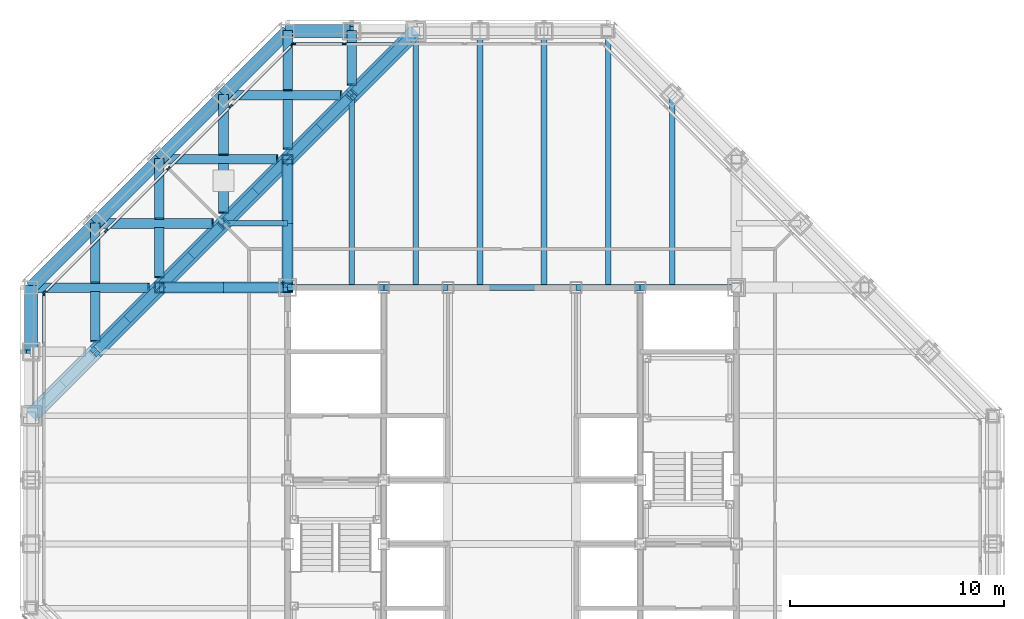
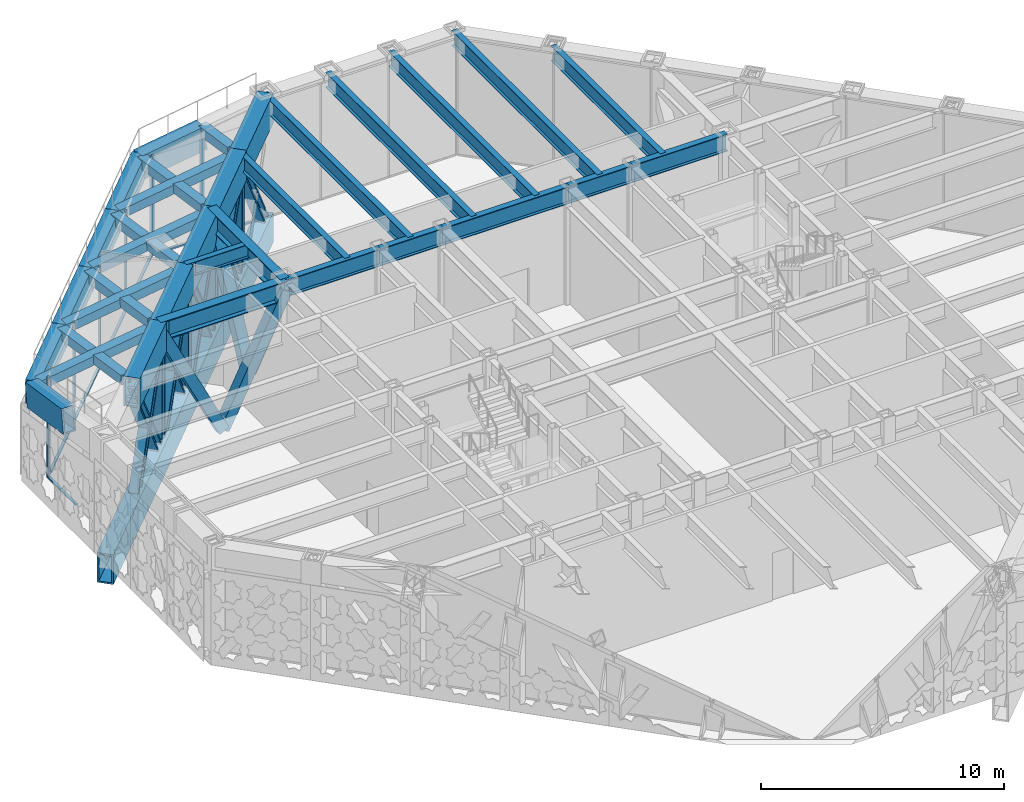
# One storey, part 9 of 29: 38 members, 33 beams, 3 elements without a shape of their own.
"""IFC4 building model written with IfcOpenShell, lengths in metres."""

from ifc_helpers import new_model, si_unit, direction, frame, origin, origin_2d, place, context, subcontext, project, spatial, rectangle, hollow_rectangle, i_section, extrude, material, layer, layer_set, material_profile, profile_set, type_object, element, aggregate, save


model = new_model("IFC4")

# Units and contexts
model_context = context("Model", 3, precision=1e-05, world=origin(), true_north=direction((0.0, 1.0)))
body_context = subcontext(model_context, "Body", "Model", "MODEL_VIEW")
ifc_project = project(units=[si_unit("LENGTHUNIT", "METRE"), si_unit("AREAUNIT", "SQUARE_METRE"), si_unit("VOLUMEUNIT", "CUBIC_METRE"), si_unit("PLANEANGLEUNIT", "RADIAN"), si_unit("MASSUNIT", "GRAM", prefix="KILO")], contexts=[model_context])

# Site, building, storey
site_placement = place(None, origin())
site = spatial("IfcSite", under=ifc_project, at=site_placement, CompositionType="ELEMENT")
building_placement = place(site_placement, origin())
building = spatial("IfcBuilding", under=site, at=building_placement, Name="Chuquiago Exchange Tower", CompositionType="ELEMENT")
storey_placement = place(building_placement, frame((0.0, 0.0, 251.699951171875)))
storey = spatial("IfcBuildingStorey", under=building, at=storey_placement, Name="L56", CompositionType="ELEMENT", Elevation=251.699951171875)

# Beams
ifc_material_1 = material(Name="Steel ASTM A992", Category="steel")
ifc_material_profile_1 = material_profile(ifc_material_1, i_section(OverallWidth=0.2919921875, OverallDepth=0.8583984375, WebThickness=0.01708984375, FlangeThickness=0.031005859375, at=origin_2d()), Name="W33X169")
ifc_profile_set_1 = profile_set([ifc_material_profile_1], Name="Steel ASTM A992")
beam_type_1 = type_object("IfcBeamType", Name="B3 W33X169", PredefinedType="BEAM", material=ifc_profile_set_1)
beam_1_placement = place(storey_placement, frame((12.0, 33.0, 5.41064453125), z_axis=(1.0, 0.0, 0.0), x_axis=(0.0, 1.0, 0.0)))
element("IfcBeam", 1, at=beam_1_placement, inside=storey, type_object=beam_type_1, Name="CB-L57-12_33-16.5_33", PredefinedType="BEAM", context=body_context, shape_type="SweptSolid", body=[
    extrude(i_section(OverallWidth=0.2919921875, OverallDepth=0.8583984375, WebThickness=0.01708984375, FlangeThickness=0.031005859375, at=origin_2d()), origin(), (0.0, 0.0, 1.0), 4.5),
])
beam_2_placement = place(storey_placement, frame((16.5, 33.0, 5.41064453125), z_axis=(1.0, 0.0, 0.0), x_axis=(0.0, 1.0, 0.0)))
element("IfcBeam", 2, at=beam_2_placement, inside=storey, type_object=beam_type_1, Name="CB-L57-16.5_33-19.5_33", PredefinedType="BEAM", context=body_context, shape_type="SweptSolid", body=[
    extrude(i_section(OverallWidth=0.2919921875, OverallDepth=0.8583984375, WebThickness=0.01708984375, FlangeThickness=0.031005859375, at=origin_2d()), origin(), (0.0, 0.0, 1.0), 3.0),
])
beam_3_placement = place(storey_placement, frame((19.5, 33.0, 5.41064453125), z_axis=(1.0, 0.0, 0.0), x_axis=(0.0, 1.0, 0.0)))
element("IfcBeam", 3, at=beam_3_placement, inside=storey, type_object=beam_type_1, Name="CB-L57-19.5_33-25.5_33", PredefinedType="BEAM", context=body_context, shape_type="SweptSolid", body=[
    extrude(i_section(OverallWidth=0.2919921875, OverallDepth=0.8583984375, WebThickness=0.01708984375, FlangeThickness=0.031005859375, at=origin_2d()), origin(), (0.0, 0.0, 1.0), 6.0),
])
beam_4_placement = place(storey_placement, frame((25.5, 33.0, 5.41064453125), z_axis=(1.0, 0.0, 0.0), x_axis=(0.0, 1.0, 0.0)))
element("IfcBeam", 4, at=beam_4_placement, inside=storey, type_object=beam_type_1, Name="CB-L57-25.5_33-28.5_33", PredefinedType="BEAM", context=body_context, shape_type="SweptSolid", body=[
    extrude(i_section(OverallWidth=0.2919921875, OverallDepth=0.8583984375, WebThickness=0.01708984375, FlangeThickness=0.031005859375, at=origin_2d()), origin(), (0.0, 0.0, 1.0), 3.0),
])
beam_5_placement = place(storey_placement, frame((28.5, 33.0, 5.41064453125), z_axis=(1.0, 0.0, 0.0), x_axis=(0.0, 1.0, 0.0)))
element("IfcBeam", 5, at=beam_5_placement, inside=storey, type_object=beam_type_1, Name="CB-L57-28.5_33-33_33", PredefinedType="BEAM", context=body_context, shape_type="SweptSolid", body=[
    extrude(i_section(OverallWidth=0.2919921875, OverallDepth=0.8583984375, WebThickness=0.01708984375, FlangeThickness=0.031005859375, at=origin_2d()), origin(), (0.0, 0.0, 1.0), 4.5),
])
ifc_material_2 = material(Name="Steel ASTM A992", Category="steel")
ifc_material_profile_2 = material_profile(ifc_material_2, i_section(OverallWidth=0.2666015625, OverallDepth=0.761962890625, WebThickness=0.014404296875, FlangeThickness=0.021484375, at=origin_2d()), Name="W30X116")
ifc_profile_set_2 = profile_set([ifc_material_profile_2], Name="Steel ASTM A992")
beam_type_2 = type_object("IfcBeamType", Name="B8 W30X116", PredefinedType="BEAM", material=ifc_profile_set_2)
beam_6_placement = place(storey_placement, frame((15.0, 33.0, 5.458984375), z_axis=(0.0, 1.0, 0.0), x_axis=(-1.0, 0.0, 0.0)))
element("IfcBeam", 6, at=beam_6_placement, inside=storey, type_object=beam_type_2, Name="FB-L57-infill-15_33-15_42-0", PredefinedType="BEAM", context=body_context, shape_type="SweptSolid", body=[
    extrude(i_section(OverallWidth=0.2666015625, OverallDepth=0.761962890625, WebThickness=0.014404296875, FlangeThickness=0.021484375, at=origin_2d()), origin(), (0.0, 0.0, 1.0), 9.0),
])
for number, where, z_axis, x_axis, name in (
    (7, (18.0, 33.0, 5.458984375), (0.0, 1.0, 0.0), (-1.0, 0.0, 0.0), "FB-L57-infill-18_33-18_45-0"),
    (8, (21.0, 33.0, 5.458984375), (0.0, 1.0, 0.0), (-1.0, 0.0, 0.0), "FB-L57-infill-21_33-21_45-0"),
    (9, (24.0, 33.0, 5.458984375), (0.0, 1.0, 0.0), (-1.0, 0.0, 0.0), "FB-L57-infill-24_33-24_45-0"),
    (10, (27.0, 33.0, 5.458984375), (0.0, 1.0, 0.0), (-1.0, 0.0, 0.0), "FB-L57-infill-27_33-27_45-0"),
):
    element("IfcBeam", number, at=place(storey_placement, frame(where, z_axis=z_axis, x_axis=x_axis)), inside=storey, type_object=beam_type_2, Name=name, PredefinedType="BEAM", context=body_context, shape_type="SweptSolid", body=[
        extrude(i_section(OverallWidth=0.2666015625, OverallDepth=0.761962890625, WebThickness=0.014404296875, FlangeThickness=0.021484375, at=origin_2d()), origin(), (0.0, 0.0, 1.0), 12.0),
    ])
beam_7_placement = place(storey_placement, frame((30.0, 33.0, 5.458984375), z_axis=(0.0, 1.0, 0.0), x_axis=(-1.0, 0.0, 0.0)))
element("IfcBeam", 11, at=beam_7_placement, inside=storey, type_object=beam_type_2, Name="FB-L57-infill-30_33-30_42-0", PredefinedType="BEAM", context=body_context, shape_type="SweptSolid", body=[
    extrude(i_section(OverallWidth=0.2666015625, OverallDepth=0.761962890625, WebThickness=0.014404296875, FlangeThickness=0.021484375, at=origin_2d()), origin(), (0.0, 0.0, 1.0), 9.0),
])
ifc_material_3 = material(Name="Steel ASTM A992", Category="steel")
ifc_material_profile_3 = material_profile(ifc_material_3, i_section(OverallWidth=0.256591796875, OverallDepth=0.693359375, WebThickness=0.014404296875, FlangeThickness=0.023681640625, at=origin_2d()), Name="W27X114")
ifc_profile_set_3 = profile_set([ifc_material_profile_3], Name="Steel ASTM A992")
beam_type_3 = type_object("IfcBeamType", Name="B9 W27X114", PredefinedType="BEAM", material=ifc_profile_set_3)
beam_8_placement = place(storey_placement, frame((12.0, 36.0, 5.493408203125), z_axis=(-1.0, 0.0, 0.0), x_axis=(0.0, -1.0, 0.0)))
element("IfcBeam", 12, at=beam_8_placement, inside=storey, type_object=beam_type_3, Name="FB-L57-corner-12_36-9_36-0", PredefinedType="BEAM", context=body_context, shape_type="SweptSolid", body=[
    extrude(i_section(OverallWidth=0.256591796875, OverallDepth=0.693359375, WebThickness=0.014404296875, FlangeThickness=0.023681640625, at=origin_2d()), origin(), (0.0, 0.0, 1.0), 3.0),
])

# Curtain wall, members
ifc_material_4 = material(Name="Aluminium curtain wall system", Category="aluminium")
ifc_layer = layer(ifc_material_4, 0.199951171875)
ifc_layer_set = layer_set([ifc_layer], Name="CW6 plant floor louvre wall")
curtain_wall_type = type_object("IfcCurtainWallType", Name="CW6 plant floor louvre wall", PredefinedType="NOTDEFINED", material=ifc_layer_set)
curtain_wall_1_placement = place(storey_placement, origin())
curtain_wall_1 = element("IfcCurtainWall", 13, at=curtain_wall_1_placement, inside=storey, type_object=curtain_wall_type, Name="CW6 curtain wall L56", PredefinedType="NOTDEFINED")
ifc_material_5 = material(Name="Aluminium mullion, pale anodised", Category="aluminium")
ifc_material_profile_4 = material_profile(ifc_material_5, rectangle(XDim=0.074951171875, YDim=0.199951171875, at=origin_2d()), Name="AL 75x200")
ifc_profile_set_4 = profile_set([ifc_material_profile_4], Name="Aluminium mullion, pale anodised")
member_type_1 = type_object("IfcMemberType", Name="CW6-M mullion 75x200", PredefinedType="MULLION", material=ifc_profile_set_4)
member_1_placement = place(storey_placement, frame((14.6474609375, 44.39990234375, 0.0), z_axis=(0.0, 0.0, 1.0), x_axis=(0.0, -1.0, 0.0)))
member_1 = element("IfcMember", 14, at=member_1_placement, type_object=member_type_1, Name="CW6 mullion 2", PredefinedType="MULLION", context=body_context, shape_type="SweptSolid", body=[
    extrude(rectangle(XDim=0.074951171875, YDim=0.199951171875, at=origin_2d()), origin(), (0.0, 0.0, 1.0), 5.021240234375),
])
member_2_placement = place(storey_placement, frame((12.2861328125, 44.39990234375, 0.0), z_axis=(0.0, 0.0, 1.0), x_axis=(0.0, -1.0, 0.0)))
member_2 = element("IfcMember", 15, at=member_2_placement, type_object=member_type_1, Name="CW6 mullion 3", PredefinedType="MULLION", context=body_context, shape_type="SweptSolid", body=[
    extrude(rectangle(XDim=0.074951171875, YDim=0.199951171875, at=origin_2d()), origin(), (0.0, 0.0, 1.0), 5.021240234375),
])

curtain_wall_2_placement = place(storey_placement, origin())
curtain_wall_2 = element("IfcCurtainWall", 16, at=curtain_wall_2_placement, inside=storey, type_object=curtain_wall_type, Name="CW6 curtain wall L56", PredefinedType="NOTDEFINED")
member_3_placement = place(storey_placement, frame((12.221923828125, 44.37353515625, 0.0), z_axis=(0.0, 0.0, 1.0), x_axis=(0.707106781187, -0.707106781187, 0.0)))
member_3 = element("IfcMember", 17, at=member_3_placement, type_object=member_type_1, Name="CW6 mullion 1", PredefinedType="MULLION", context=body_context, shape_type="SweptSolid", body=[
    extrude(rectangle(XDim=0.074951171875, YDim=0.199951171875, at=origin_2d()), origin(), (0.0, 0.0, 1.0), 5.021240234375),
])
member_4_placement = place(storey_placement, frame((9.33642578125, 41.48779296875, 0.0), z_axis=(0.0, 0.0, 1.0), x_axis=(0.707106781187, -0.707106781187, 0.0)))
member_4 = element("IfcMember", 18, at=member_4_placement, type_object=member_type_1, Name="CW6 mullion 2", PredefinedType="MULLION", context=body_context, shape_type="SweptSolid", body=[
    extrude(rectangle(XDim=0.074951171875, YDim=0.199951171875, at=origin_2d()), origin(), (0.0, 0.0, 1.0), 5.021240234375),
])
member_5_placement = place(storey_placement, frame((6.42431640625, 38.57568359375, 0.0), z_axis=(0.0, 0.0, 1.0), x_axis=(0.707106781187, -0.707106781187, 0.0)))
member_5 = element("IfcMember", 19, at=member_5_placement, type_object=member_type_1, Name="CW6 mullion 3", PredefinedType="MULLION", context=body_context, shape_type="SweptSolid", body=[
    extrude(rectangle(XDim=0.074951171875, YDim=0.199951171875, at=origin_2d()), origin(), (0.0, 0.0, 1.0), 5.021240234375),
])
member_6_placement = place(storey_placement, frame((3.51220703125, 35.66357421875, 0.0), z_axis=(0.0, 0.0, 1.0), x_axis=(0.707106781187, -0.707106781187, 0.0)))
member_6 = element("IfcMember", 20, at=member_6_placement, type_object=member_type_1, Name="CW6 mullion 4", PredefinedType="MULLION", context=body_context, shape_type="SweptSolid", body=[
    extrude(rectangle(XDim=0.074951171875, YDim=0.199951171875, at=origin_2d()), origin(), (0.0, 0.0, 1.0), 5.021240234375),
])
member_7_placement = place(storey_placement, frame((0.62646484375, 32.778076171875, 0.0), z_axis=(0.0, 0.0, 1.0), x_axis=(0.707106781187, -0.707106781187, 0.0)))
member_7 = element("IfcMember", 21, at=member_7_placement, type_object=member_type_1, Name="CW6 mullion 5", PredefinedType="MULLION", context=body_context, shape_type="SweptSolid", body=[
    extrude(rectangle(XDim=0.074951171875, YDim=0.199951171875, at=origin_2d()), origin(), (0.0, 0.0, 1.0), 5.021240234375),
])

# Curtain wall, member
curtain_wall_3_placement = place(storey_placement, origin())
curtain_wall_3 = element("IfcCurtainWall", 22, at=curtain_wall_3_placement, inside=storey, type_object=curtain_wall_type, Name="CW6 curtain wall L56", PredefinedType="NOTDEFINED")
member_8_placement = place(storey_placement, frame((0.60009765625, 32.714111328125, 0.0), z_axis=(0.0, 0.0, 1.0), x_axis=(1.0, 0.0, 0.0)))
member_8 = element("IfcMember", 23, at=member_8_placement, type_object=member_type_1, Name="CW6 mullion 1", PredefinedType="MULLION", context=body_context, shape_type="SweptSolid", body=[
    extrude(rectangle(XDim=0.074951171875, YDim=0.199951171875, at=origin_2d()), origin(), (0.0, 0.0, 1.0), 5.021240234375),
])

# Member
ifc_material_6 = material(Name="Aluminium transom, pale anodised", Category="aluminium")
ifc_material_profile_5 = material_profile(ifc_material_6, rectangle(XDim=0.1201171875, YDim=0.074951171875, at=origin_2d()), Name="AL 120x75")
ifc_profile_set_5 = profile_set([ifc_material_profile_5], Name="Aluminium transom, pale anodised")
member_type_2 = type_object("IfcMemberType", Name="CW6-T transom 75x120", PredefinedType="MULLION", material=ifc_profile_set_5)
member_9_placement = place(storey_placement, frame((16.971435546875, 44.39990234375, 0.03759765625), z_axis=(-1.0, 0.0, 0.0), x_axis=(0.0, -1.0, 0.0)))
member_9 = element("IfcMember", 24, at=member_9_placement, type_object=member_type_2, Name="CW6 transom 1.1", PredefinedType="MULLION", context=body_context, shape_type="SweptSolid", body=[
    extrude(rectangle(XDim=0.1201171875, YDim=0.074951171875, at=origin_2d()), origin(), (0.0, 0.0, 1.0), 2.286376953125),
])

member_10_placement = place(storey_placement, frame((14.610107421875, 44.39990234375, 0.03759765625), z_axis=(-1.0, 0.0, 0.0), x_axis=(0.0, -1.0, 0.0)))
member_10 = element("IfcMember", 25, at=member_10_placement, type_object=member_type_2, Name="CW6 transom 2.1", PredefinedType="MULLION", context=body_context, shape_type="SweptSolid", body=[
    extrude(rectangle(XDim=0.1201171875, YDim=0.074951171875, at=origin_2d()), origin(), (0.0, 0.0, 1.0), 2.28662109375),
])

aggregate(curtain_wall_1, [member_1, member_2, member_9, member_10])

member_11_placement = place(storey_placement, frame((12.195556640625, 44.346923828125, 0.03759765625), z_axis=(-0.707137252703, -0.707076308357, 0.0), x_axis=(0.707076308357, -0.707137252703, 0.0)))
member_11 = element("IfcMember", 26, at=member_11_placement, type_object=member_type_2, Name="CW6 transom 1.1", PredefinedType="MULLION", context=body_context, shape_type="SweptSolid", body=[
    extrude(rectangle(XDim=0.1201171875, YDim=0.074951171875, at=origin_2d()), origin(), (0.0, 0.0, 1.0), 4.005859375),
])

member_12_placement = place(storey_placement, frame((9.309814453125, 41.46142578125, 0.03759765625), z_axis=(-0.707106781187, -0.707106781187, 0.0), x_axis=(0.707106781187, -0.707106781187, 0.0)))
member_12 = element("IfcMember", 27, at=member_12_placement, type_object=member_type_2, Name="CW6 transom 2.1", PredefinedType="MULLION", context=body_context, shape_type="SweptSolid", body=[
    extrude(rectangle(XDim=0.1201171875, YDim=0.074951171875, at=origin_2d()), origin(), (0.0, 0.0, 1.0), 4.04345703125),
])

member_13_placement = place(storey_placement, frame((6.397705078125, 38.54931640625, 0.03759765625), z_axis=(-0.707106781187, -0.707106781187, 0.0), x_axis=(0.707106781187, -0.707106781187, 0.0)))
member_13 = element("IfcMember", 28, at=member_13_placement, type_object=member_type_2, Name="CW6 transom 3.1", PredefinedType="MULLION", context=body_context, shape_type="SweptSolid", body=[
    extrude(rectangle(XDim=0.1201171875, YDim=0.074951171875, at=origin_2d()), origin(), (0.0, 0.0, 1.0), 4.04345703125),
])

member_14_placement = place(storey_placement, frame((3.485595703125, 35.63720703125, 0.03759765625), z_axis=(-0.707076308357, -0.707137252703, 0.0), x_axis=(0.707137252703, -0.707076308357, 0.0)))
member_14 = element("IfcMember", 29, at=member_14_placement, type_object=member_type_2, Name="CW6 transom 4.1", PredefinedType="MULLION", context=body_context, shape_type="SweptSolid", body=[
    extrude(rectangle(XDim=0.1201171875, YDim=0.074951171875, at=origin_2d()), origin(), (0.0, 0.0, 1.0), 4.005859375),
])

aggregate(curtain_wall_2, [member_3, member_4, member_5, member_6, member_7, member_11, member_12, member_13, member_14])

member_15_placement = place(storey_placement, frame((0.60009765625, 32.676513671875, 0.03759765625), z_axis=(0.0, -1.0, 0.0), x_axis=(1.0, 0.0, 0.0)))
member_15 = element("IfcMember", 30, at=member_15_placement, type_object=member_type_2, Name="CW6 transom 1.1", PredefinedType="MULLION", context=body_context, shape_type="SweptSolid", body=[
    extrude(rectangle(XDim=0.1201171875, YDim=0.074951171875, at=origin_2d()), origin(), (0.0, 0.0, 1.0), 2.286376953125),
])

aggregate(curtain_wall_3, [member_8, member_15])

# Beams
ifc_material_7 = material(Name="Steel ASTM A572 Grade 50", Category="steel")
ifc_material_profile_6 = material_profile(ifc_material_7, hollow_rectangle(XDim=0.60009765625, YDim=1.199951171875, WallThickness=0.074951171875, at=origin_2d()), Name="BOX1200X600X75")
ifc_profile_set_6 = profile_set([ifc_material_profile_6], Name="Steel ASTM A572 Grade 50")
beam_type_4 = type_object("IfcBeamType", Name="EB3 BOX1200X600X75", PredefinedType="BEAM", material=ifc_profile_set_6)
beam_9_placement = place(storey_placement, frame((15.0, 45.0, 4.749267578125), z_axis=(-0.98889144561, 0.0, -0.148639526371), x_axis=(0.0, -1.0, 0.0)))
element("IfcBeam", 31, at=beam_9_placement, inside=storey, type_object=beam_type_4, Name="Facet roof edge beam L56", PredefinedType="BEAM", context=body_context, shape_type="SweptSolid", body=[
    extrude(hollow_rectangle(XDim=0.60009765625, YDim=1.199951171875, WallThickness=0.074951171875, at=origin_2d()), origin(), (0.0, 0.0, 1.0), 3.03369140625),
])
for number, where, z_axis, x_axis, name in (
    (32, (12.0, 45.0, 4.29833984375), (-0.707106781187, -0.707106781187, 0.0), (0.707106781187, -0.707106781187, 0.0), "Facet roof edge beam L56"),
    (33, (9.0, 42.0, 4.29833984375), (-0.707106781187, -0.707106781187, 0.0), (0.707106781187, -0.707106781187, 0.0), "Facet roof edge beam L56"),
    (34, (6.0, 39.0, 4.29833984375), (-0.707106781187, -0.707106781187, 0.0), (0.707106781187, -0.707106781187, 0.0), "Facet roof edge beam L56"),
    (35, (3.0, 36.0, 4.29833984375), (-0.707106781187, -0.707106781187, 0.0), (0.707106781187, -0.707106781187, 0.0), "Facet roof edge beam L56"),
):
    element("IfcBeam", number, at=place(storey_placement, frame(where, z_axis=z_axis, x_axis=x_axis)), inside=storey, type_object=beam_type_4, Name=name, PredefinedType="BEAM", context=body_context, shape_type="SweptSolid", body=[
        extrude(hollow_rectangle(XDim=0.60009765625, YDim=1.199951171875, WallThickness=0.074951171875, at=origin_2d()), origin(), (0.0, 0.0, 1.0), 4.24267578125),
    ])
beam_10_placement = place(storey_placement, frame((0.0, 33.0, 4.29833984375), z_axis=(0.0, -0.98889144561, 0.148639526371), x_axis=(1.0, 0.0, 0.0)))
element("IfcBeam", 36, at=beam_10_placement, inside=storey, type_object=beam_type_4, Name="Facet roof edge beam L56", PredefinedType="BEAM", context=body_context, shape_type="SweptSolid", body=[
    extrude(hollow_rectangle(XDim=0.60009765625, YDim=1.199951171875, WallThickness=0.074951171875, at=origin_2d()), origin(), (0.0, 0.0, 1.0), 3.03369140625),
])
ifc_material_8 = material(Name="Steel ASTM A572 Grade 50", Category="steel")
ifc_material_profile_7 = material_profile(ifc_material_8, hollow_rectangle(XDim=0.449951171875, YDim=0.449951171875, WallThickness=0.034912109375, at=origin_2d()), Name="BOX450X450X35")
ifc_profile_set_7 = profile_set([ifc_material_profile_7], Name="Steel ASTM A572 Grade 50")
beam_type_5 = type_object("IfcBeamType", Name="FR1 BOX450X450X35", PredefinedType="BEAM", material=ifc_profile_set_7)
beam_11_placement = place(storey_placement, frame((15.0, 42.492919921875, 5.464599609375), z_axis=(0.0, 0.988898884676, -0.148590026201), x_axis=(-1.0, 0.0, 0.0)))
element("IfcBeam", 37, at=beam_11_placement, inside=storey, type_object=beam_type_5, Name="Facet roof rafter L56", PredefinedType="BEAM", context=body_context, shape_type="SweptSolid", body=[
    extrude(hollow_rectangle(XDim=0.449951171875, YDim=0.449951171875, WallThickness=0.034912109375, at=origin_2d()), origin(), (0.0, 0.0, 1.0), 2.53515625),
])
beam_12_placement = place(storey_placement, frame((14.507080078125, 42.0, 5.464599609375), z_axis=(-0.988894832514, 0.0, -0.14861699172), x_axis=(0.0, -1.0, 0.0)))
element("IfcBeam", 38, at=beam_12_placement, inside=storey, type_object=beam_type_5, Name="Facet roof rafter L56", PredefinedType="BEAM", context=body_context, shape_type="SweptSolid", body=[
    extrude(hollow_rectangle(XDim=0.449951171875, YDim=0.449951171875, WallThickness=0.034912109375, at=origin_2d()), origin(), (0.0, 0.0, 1.0), 5.56884765625),
])
beam_13_placement = place(storey_placement, frame((12.0, 39.492919921875, 5.464599609375), z_axis=(0.0, 0.988890520477, -0.148645681103), x_axis=(-1.0, 0.0, 0.0)))
element("IfcBeam", 39, at=beam_13_placement, inside=storey, type_object=beam_type_5, Name="Facet roof rafter L56", PredefinedType="BEAM", context=body_context, shape_type="SweptSolid", body=[
    extrude(hollow_rectangle(XDim=0.449951171875, YDim=0.449951171875, WallThickness=0.034912109375, at=origin_2d()), origin(), (0.0, 0.0, 1.0), 2.3076171875),
])
beam_14_placement = place(storey_placement, frame((12.0, 42.22509765625, 5.053955078125), z_axis=(0.0, 0.988896750706, -0.148604227539), x_axis=(-1.0, 0.0, 0.0)))
element("IfcBeam", 40, at=beam_14_placement, inside=storey, type_object=beam_type_5, Name="Facet roof rafter L56", PredefinedType="BEAM", context=body_context, shape_type="SweptSolid", body=[
    extrude(hollow_rectangle(XDim=0.449951171875, YDim=0.449951171875, WallThickness=0.034912109375, at=origin_2d()), origin(), (0.0, 0.0, 1.0), 2.80615234375),
])
beam_15_placement = place(storey_placement, frame((11.507080078125, 39.0, 5.464599609375), z_axis=(-0.988894832514, 0.0, -0.14861699172), x_axis=(0.0, -1.0, 0.0)))
element("IfcBeam", 41, at=beam_15_placement, inside=storey, type_object=beam_type_5, Name="Facet roof rafter L56", PredefinedType="BEAM", context=body_context, shape_type="SweptSolid", body=[
    extrude(hollow_rectangle(XDim=0.449951171875, YDim=0.449951171875, WallThickness=0.034912109375, at=origin_2d()), origin(), (0.0, 0.0, 1.0), 5.56884765625),
])
beam_16_placement = place(storey_placement, frame((9.0, 36.492919921875, 5.464599609375), z_axis=(0.0, 0.988890520477, -0.148645681103), x_axis=(-1.0, 0.0, 0.0)))
element("IfcBeam", 42, at=beam_16_placement, inside=storey, type_object=beam_type_5, Name="Facet roof rafter L56", PredefinedType="BEAM", context=body_context, shape_type="SweptSolid", body=[
    extrude(hollow_rectangle(XDim=0.449951171875, YDim=0.449951171875, WallThickness=0.034912109375, at=origin_2d()), origin(), (0.0, 0.0, 1.0), 2.3076171875),
])
beam_17_placement = place(storey_placement, frame((9.0, 39.22509765625, 5.053955078125), z_axis=(0.0, 0.988896750706, -0.148604227539), x_axis=(-1.0, 0.0, 0.0)))
element("IfcBeam", 43, at=beam_17_placement, inside=storey, type_object=beam_type_5, Name="Facet roof rafter L56", PredefinedType="BEAM", context=body_context, shape_type="SweptSolid", body=[
    extrude(hollow_rectangle(XDim=0.449951171875, YDim=0.449951171875, WallThickness=0.034912109375, at=origin_2d()), origin(), (0.0, 0.0, 1.0), 2.80615234375),
])
beam_18_placement = place(storey_placement, frame((8.507080078125, 36.0, 5.464599609375), z_axis=(-0.988894832514, 0.0, -0.14861699172), x_axis=(0.0, -1.0, 0.0)))
element("IfcBeam", 44, at=beam_18_placement, inside=storey, type_object=beam_type_5, Name="Facet roof rafter L56", PredefinedType="BEAM", context=body_context, shape_type="SweptSolid", body=[
    extrude(hollow_rectangle(XDim=0.449951171875, YDim=0.449951171875, WallThickness=0.034912109375, at=origin_2d()), origin(), (0.0, 0.0, 1.0), 5.56884765625),
])
beam_19_placement = place(storey_placement, frame((6.0, 33.492919921875, 5.464599609375), z_axis=(0.0, 0.988890520477, -0.148645681103), x_axis=(-1.0, 0.0, 0.0)))
element("IfcBeam", 45, at=beam_19_placement, inside=storey, type_object=beam_type_5, Name="Facet roof rafter L56", PredefinedType="BEAM", context=body_context, shape_type="SweptSolid", body=[
    extrude(hollow_rectangle(XDim=0.449951171875, YDim=0.449951171875, WallThickness=0.034912109375, at=origin_2d()), origin(), (0.0, 0.0, 1.0), 2.3076171875),
])
beam_20_placement = place(storey_placement, frame((6.0, 36.22509765625, 5.053955078125), z_axis=(0.0, 0.988896750706, -0.148604227539), x_axis=(-1.0, 0.0, 0.0)))
element("IfcBeam", 46, at=beam_20_placement, inside=storey, type_object=beam_type_5, Name="Facet roof rafter L56", PredefinedType="BEAM", context=body_context, shape_type="SweptSolid", body=[
    extrude(hollow_rectangle(XDim=0.449951171875, YDim=0.449951171875, WallThickness=0.034912109375, at=origin_2d()), origin(), (0.0, 0.0, 1.0), 2.80615234375),
])
beam_21_placement = place(storey_placement, frame((5.507080078125, 33.0, 5.464599609375), z_axis=(-0.988894832514, 0.0, -0.14861699172), x_axis=(0.0, -1.0, 0.0)))
element("IfcBeam", 47, at=beam_21_placement, inside=storey, type_object=beam_type_5, Name="Facet roof rafter L56", PredefinedType="BEAM", context=body_context, shape_type="SweptSolid", body=[
    extrude(hollow_rectangle(XDim=0.449951171875, YDim=0.449951171875, WallThickness=0.034912109375, at=origin_2d()), origin(), (0.0, 0.0, 1.0), 5.56884765625),
])
beam_22_placement = place(storey_placement, frame((3.0, 30.492919921875, 5.464599609375), z_axis=(0.0, 0.988890520477, -0.148645681103), x_axis=(-1.0, 0.0, 0.0)))
element("IfcBeam", 48, at=beam_22_placement, inside=storey, type_object=beam_type_5, Name="Facet roof rafter L56", PredefinedType="BEAM", context=body_context, shape_type="SweptSolid", body=[
    extrude(hollow_rectangle(XDim=0.449951171875, YDim=0.449951171875, WallThickness=0.034912109375, at=origin_2d()), origin(), (0.0, 0.0, 1.0), 2.3076171875),
])
beam_23_placement = place(storey_placement, frame((3.0, 33.22509765625, 5.053955078125), z_axis=(0.0, 0.988896750706, -0.148604227539), x_axis=(-1.0, 0.0, 0.0)))
element("IfcBeam", 49, at=beam_23_placement, inside=storey, type_object=beam_type_5, Name="Facet roof rafter L56", PredefinedType="BEAM", context=body_context, shape_type="SweptSolid", body=[
    extrude(hollow_rectangle(XDim=0.449951171875, YDim=0.449951171875, WallThickness=0.034912109375, at=origin_2d()), origin(), (0.0, 0.0, 1.0), 2.80615234375),
])
ifc_material_9 = material(Name="Steel ASTM A992", Category="steel")
ifc_material_profile_8 = material_profile(ifc_material_9, i_section(OverallWidth=0.424072265625, OverallDepth=0.947509765625, WebThickness=0.02392578125, FlangeThickness=0.042724609375, at=origin_2d()), Name="W36X302")
ifc_profile_set_8 = profile_set([ifc_material_profile_8], Name="Steel ASTM A992")
beam_type_6 = type_object("IfcBeamType", Name="G4 W36X302", PredefinedType="BEAM", material=ifc_profile_set_8)
for number, where, z_axis, x_axis, name in (
    (50, (12.0, 33.0, 5.366455078125), (0.0, 1.0, 0.0), (-1.0, 0.0, 0.0), "FB-L57-girder-12_33-12_39-0"),
    (51, (12.0, 33.0, 5.366455078125), (-1.0, 0.0, 0.0), (0.0, -1.0, 0.0), "FB-L57-girder-12_33-6_33-0"),
):
    element("IfcBeam", number, at=place(storey_placement, frame(where, z_axis=z_axis, x_axis=x_axis)), inside=storey, type_object=beam_type_6, Name=name, PredefinedType="BEAM", context=body_context, shape_type="SweptSolid", body=[
        extrude(i_section(OverallWidth=0.424072265625, OverallDepth=0.947509765625, WebThickness=0.02392578125, FlangeThickness=0.042724609375, at=origin_2d()), origin(), (0.0, 0.0, 1.0), 6.0),
    ])

# Members
ifc_material_10 = material(Name="Steel ASTM A572 Grade 50", Category="steel")
ifc_material_profile_9 = material_profile(ifc_material_10, hollow_rectangle(XDim=0.5, YDim=0.5, WallThickness=0.0400390625, at=origin_2d()), Name="BOX500X500X40")
ifc_profile_set_9 = profile_set([ifc_material_profile_9], Name="Steel ASTM A572 Grade 50")
member_type_3 = type_object("IfcMemberType", Name="OT1 BOX500X500X40", PredefinedType="BRACE", material=ifc_profile_set_9)
for number, where, z_axis, x_axis, name in (
    (52, (12.0, 33.0, 5.366455078125), (0.0, 0.4472135955, -0.894427191), (-1.0, 0.0, 0.0), "Outrigger diagonal L56"),
    (53, (12.0, 36.0, -0.633544921875), (0.0, 0.4472135955, 0.894427191), (-1.0, 0.0, 0.0), "Outrigger diagonal L56"),
    (54, (12.0, 33.0, 5.366455078125), (-0.4472135955, 0.0, -0.894427191), (0.0, -1.0, 0.0), "Outrigger diagonal L56"),
    (55, (9.0, 33.0, -0.633544921875), (-0.4472135955, 0.0, 0.894427191), (0.0, -1.0, 0.0), "Outrigger diagonal L56"),
):
    element("IfcMember", number, at=place(storey_placement, frame(where, z_axis=z_axis, x_axis=x_axis)), inside=storey, type_object=member_type_3, Name=name, PredefinedType="BRACE", context=body_context, shape_type="SweptSolid", body=[
        extrude(hollow_rectangle(XDim=0.5, YDim=0.5, WallThickness=0.0400390625, at=origin_2d()), origin(), (0.0, 0.0, 1.0), 6.708251953125),
    ])
ifc_material_11 = material(Name="Steel ASTM A572 Grade 50", Category="steel")
ifc_material_profile_10 = material_profile(ifc_material_11, hollow_rectangle(XDim=0.699951171875, YDim=1.5, WallThickness=0.080078125, at=origin_2d()), Name="BOX1500X700X80")
ifc_profile_set_10 = profile_set([ifc_material_profile_10], Name="Steel ASTM A572 Grade 50")
member_type_4 = type_object("IfcMemberType", Name="TT1 BOX1500X700X80", PredefinedType="CHORD", material=ifc_profile_set_10)
for number, where, z_axis, x_axis, name in (
    (56, (18.0, 45.0, 5.090087890625), (-0.707106781187, -0.707106781187, 0.0), (0.707106781187, -0.707106781187, 0.0), "Transfer truss L56 NW top chord"),
    (57, (15.0, 42.0, 5.090087890625), (-0.707106781187, -0.707106781187, 0.0), (0.707106781187, -0.707106781187, 0.0), "Transfer truss L56 NW top chord"),
    (58, (12.0, 39.0, 5.090087890625), (-0.707106781187, -0.707106781187, 0.0), (0.707106781187, -0.707106781187, 0.0), "Transfer truss L56 NW top chord"),
    (59, (9.0, 36.0, 5.090087890625), (-0.707106781187, -0.707106781187, 0.0), (0.707106781187, -0.707106781187, 0.0), "Transfer truss L56 NW top chord"),
    (60, (6.0, 33.0, 5.090087890625), (-0.707106781187, -0.707106781187, 0.0), (0.707106781187, -0.707106781187, 0.0), "Transfer truss L56 NW top chord"),
):
    element("IfcMember", number, at=place(storey_placement, frame(where, z_axis=z_axis, x_axis=x_axis)), inside=storey, type_object=member_type_4, Name=name, PredefinedType="CHORD", context=body_context, shape_type="SweptSolid", body=[
        extrude(hollow_rectangle(XDim=0.699951171875, YDim=1.5, WallThickness=0.080078125, at=origin_2d()), origin(), (0.0, 0.0, 1.0), 4.24267578125),
    ])
member_16_placement = place(storey_placement, frame((18.0, 45.0, -0.909912109375), z_axis=(-0.707106781187, -0.707106781187, 0.0), x_axis=(0.707106781187, -0.707106781187, 0.0)))
element("IfcMember", 61, at=member_16_placement, inside=storey, type_object=member_type_4, Name="Transfer truss L56 NW bottom chord", PredefinedType="CHORD", context=body_context, shape_type="SweptSolid", body=[
    extrude(hollow_rectangle(XDim=0.699951171875, YDim=1.5, WallThickness=0.080078125, at=origin_2d()), origin(), (0.0, 0.0, 1.0), 25.455810546875),
])
ifc_material_12 = material(Name="Steel ASTM A992", Category="steel")
ifc_material_profile_11 = material_profile(ifc_material_12, i_section(OverallWidth=0.41650390625, OverallDepth=0.444580078125, WebThickness=0.0390625, FlangeThickness=0.062744140625, at=origin_2d()), Name="W14X342")
ifc_profile_set_11 = profile_set([ifc_material_profile_11], Name="Steel ASTM A992")
member_type_5 = type_object("IfcMemberType", Name="TT2 W14X342", PredefinedType="STRUT", material=ifc_profile_set_11)
for number, where, z_axis, x_axis, name in (
    (62, (15.0, 42.0, -0.909912109375), (0.0, 0.0, 1.0), (-0.707106781187, 0.707106781187, 0.0), "Transfer truss L56 NW post"),
    (63, (12.0, 39.0, -0.909912109375), (0.0, 0.0, 1.0), (-0.707106781187, 0.707106781187, 0.0), "Transfer truss L56 NW post"),
    (64, (9.0, 36.0, -0.909912109375), (0.0, 0.0, 1.0), (-0.707106781187, 0.707106781187, 0.0), "Transfer truss L56 NW post"),
    (65, (6.0, 33.0, -0.909912109375), (0.0, 0.0, 1.0), (-0.707106781187, 0.707106781187, 0.0), "Transfer truss L56 NW post"),
):
    element("IfcMember", number, at=place(storey_placement, frame(where, z_axis=z_axis, x_axis=x_axis)), inside=storey, type_object=member_type_5, Name=name, PredefinedType="STRUT", context=body_context, shape_type="SweptSolid", body=[
        extrude(i_section(OverallWidth=0.41650390625, OverallDepth=0.444580078125, WebThickness=0.0390625, FlangeThickness=0.062744140625, at=origin_2d()), origin(), (0.0, 0.0, 1.0), 6.0),
    ])
ifc_material_13 = material(Name="Steel ASTM A992", Category="steel")
ifc_material_profile_12 = material_profile(ifc_material_13, i_section(OverallWidth=0.431884765625, OverallDepth=0.497802734375, WebThickness=0.0556640625, FlangeThickness=0.0888671875, at=origin_2d()), Name="W14X500")
ifc_profile_set_12 = profile_set([ifc_material_profile_12], Name="Steel ASTM A992")
member_type_6 = type_object("IfcMemberType", Name="TT3 W14X500", PredefinedType="BRACE", material=ifc_profile_set_12)
for number, where, z_axis, x_axis, name in (
    (66, (18.0, 45.0, -0.909912109375), (-0.408248290464, -0.408248290464, 0.816496580928), (0.707106781187, -0.707106781187, 0.0), "Transfer truss L56 NW diagonal"),
    (67, (12.0, 39.0, -0.909912109375), (0.408248290464, 0.408248290464, 0.816496580928), (-0.707106781187, 0.707106781187, 0.0), "Transfer truss L56 NW diagonal"),
    (68, (15.0, 42.0, -0.909912109375), (-0.408248290464, -0.408248290464, 0.816496580928), (0.707106781187, -0.707106781187, 0.0), "Transfer truss L56 NW counter-diagonal"),
    (69, (12.0, 39.0, -0.909912109375), (-0.408248290464, -0.408248290464, 0.816496580928), (0.707106781187, -0.707106781187, 0.0), "Transfer truss L56 NW diagonal"),
    (70, (9.0, 36.0, -0.909912109375), (0.408248290464, 0.408248290464, 0.816496580928), (-0.707106781187, 0.707106781187, 0.0), "Transfer truss L56 NW counter-diagonal"),
    (71, (6.0, 33.0, -0.909912109375), (0.408248290464, 0.408248290464, 0.816496580928), (-0.707106781187, 0.707106781187, 0.0), "Transfer truss L56 NW diagonal"),
    (72, (9.0, 36.0, -0.909912109375), (-0.408248290464, -0.408248290464, 0.816496580928), (0.707106781187, -0.707106781187, 0.0), "Transfer truss L56 NW counter-diagonal"),
    (73, (6.0, 33.0, -0.909912109375), (-0.408248290464, -0.408248290464, 0.816496580928), (0.707106781187, -0.707106781187, 0.0), "Transfer truss L56 NW diagonal"),
    (74, (3.0, 30.0, -0.909912109375), (0.408248290464, 0.408248290464, 0.816496580928), (-0.707106781187, 0.707106781187, 0.0), "Transfer truss L56 NW counter-diagonal"),
):
    element("IfcMember", number, at=place(storey_placement, frame(where, z_axis=z_axis, x_axis=x_axis)), inside=storey, type_object=member_type_6, Name=name, PredefinedType="BRACE", context=body_context, shape_type="SweptSolid", body=[
        extrude(i_section(OverallWidth=0.431884765625, OverallDepth=0.497802734375, WebThickness=0.0556640625, FlangeThickness=0.0888671875, at=origin_2d()), origin(), (0.0, 0.0, 1.0), 7.348388671875),
    ])

save(model, "model.ifc")
